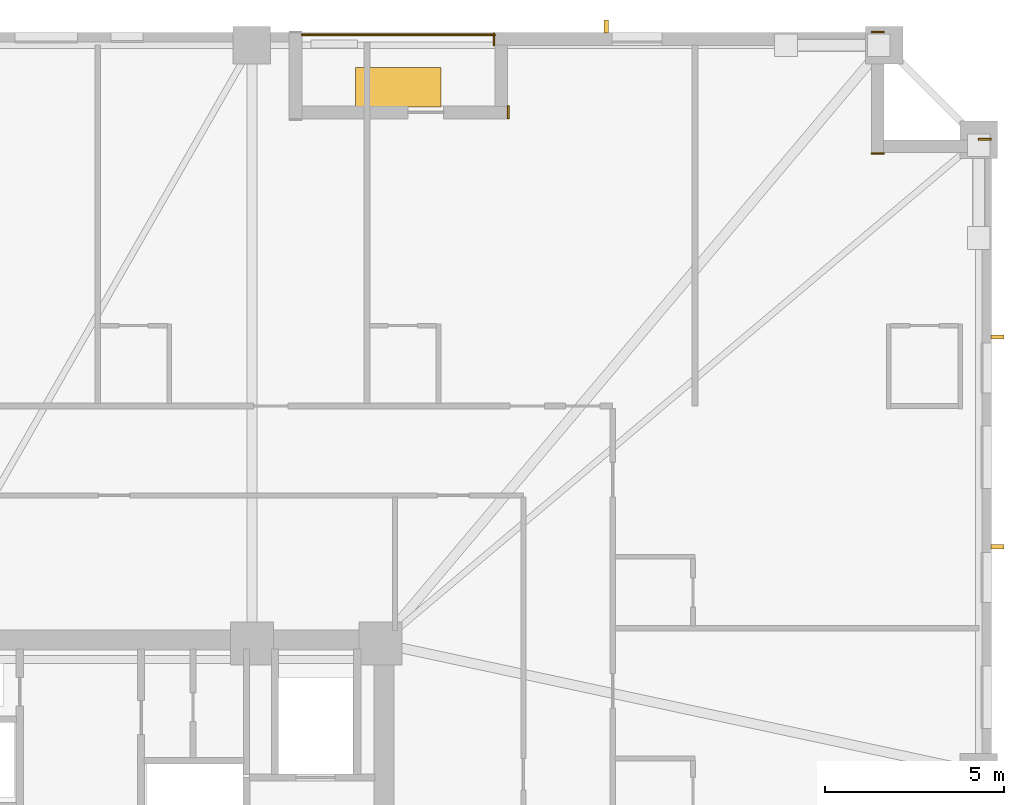
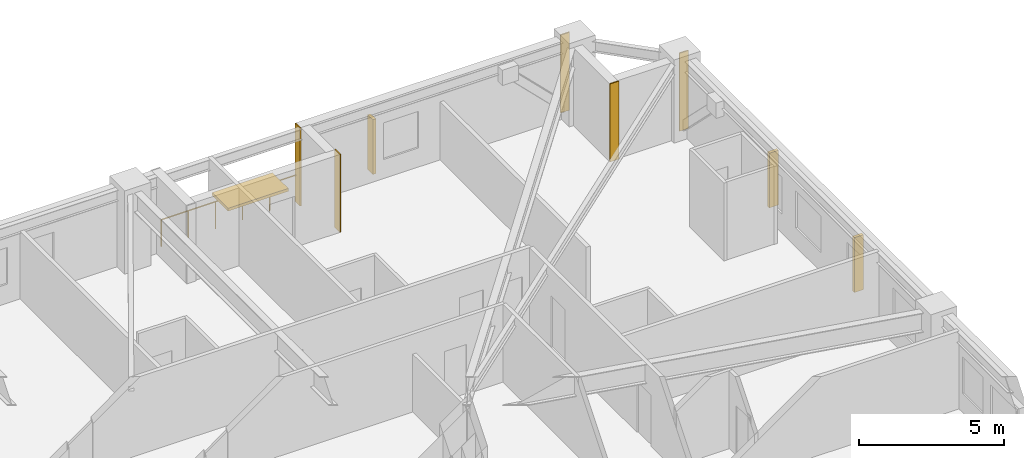
# One storey, part 12 of 12: 5 coverings, 4 shading devices, 1 railing.
"""IFC4 building model written with IfcOpenShell, lengths in metres."""

from ifc_helpers import new_model, si_unit, direction, frame, frame_2d, origin, origin_2d, place, context, subcontext, project, spatial, rectangle, circle, extrude, material, layer, layer_set, type_object, element, save


model = new_model("IFC4")

# Units and contexts
model_context = context("Model", 3, precision=1e-05, world=origin(), true_north=direction((0.0, 1.0)))
body_context = subcontext(model_context, "Body", "Model", "MODEL_VIEW")
ifc_project = project(units=[si_unit("LENGTHUNIT", "METRE"), si_unit("AREAUNIT", "SQUARE_METRE"), si_unit("VOLUMEUNIT", "CUBIC_METRE"), si_unit("PLANEANGLEUNIT", "RADIAN"), si_unit("MASSUNIT", "GRAM", prefix="KILO")], contexts=[model_context])

# Site, building, storey
site_placement = place(None, origin())
site = spatial("IfcSite", under=ifc_project, at=site_placement, CompositionType="ELEMENT")
building_placement = place(site_placement, origin())
building = spatial("IfcBuilding", under=site, at=building_placement, Name="Cairnveth Concourse Tower", CompositionType="ELEMENT")
storey_placement = place(building_placement, frame((0.0, 0.0, 90.0)))
storey = spatial("IfcBuildingStorey", under=building, at=storey_placement, Name="L24", CompositionType="ELEMENT", Elevation=90.0)

# Coverings
ifc_material_1 = material(Name="Dressed Melbourne Bluestone Cladding", Category="masonry")
ifc_layer = layer(ifc_material_1, 0.050048828125)
ifc_layer_set = layer_set([ifc_layer], Name="Dressed Melbourne Bluestone Cladding")
covering_type = type_object("IfcCoveringType", Name="DRESSED BLUESTONE PLINTH CLADDING 50", PredefinedType="CLADDING", material=ifc_layer_set)
for number, where, z_axis, x_axis, name in (
    (1, (63.580078125, 64.139892578125, 0.0), (0.0, 0.0, 1.0), (0.0, 1.0, 0.0), "Melbourne Bluestone Corner Quoin L24-327"),
    (2, (74.139892578125, 64.52001953125, 0.0), (0.0, 0.0, 1.0), (1.0, 0.0, 0.0), "Melbourne Bluestone Corner Quoin L24-328"),
    (3, (74.139892578125, 61.1201171875, 0.0), (0.0, 0.0, 1.0), (1.0, 0.0, 0.0), "Melbourne Bluestone Corner Quoin L24-329"),
    (4, (77.139892578125, 61.52001953125, 0.0), (0.0, 0.0, 1.0), (1.0, 0.0, 0.0), "Melbourne Bluestone Corner Quoin L24-330"),
):
    element("IfcCovering", number, at=place(storey_placement, frame(where, z_axis=z_axis, x_axis=x_axis)), inside=storey, type_object=covering_type, Name=name, PredefinedType="CLADDING", context=body_context, shape_type="SweptSolid", body=[
        extrude(rectangle(XDim=0.360107421875, YDim=0.050048828125, at=frame_2d((0.18017578125, 0.0))), origin(), (0.0, 0.0, 1.0), 3.280029296875),
    ])
covering_placement = place(storey_placement, frame((63.97998046875, 62.090087890625, 0.0), z_axis=(0.0, 0.0, 1.0), x_axis=(0.0, 1.0, 0.0)))
element("IfcCovering", 5, at=covering_placement, inside=storey, type_object=covering_type, Name="Melbourne Bluestone Corner Quoin L24-342", PredefinedType="CLADDING", context=body_context, shape_type="SweptSolid", body=[
    extrude(rectangle(XDim=0.35986328125, YDim=0.050048828125, at=frame_2d((0.179931640625, 0.0))), origin(), (0.0, 0.0, 1.0), 3.280029296875),
])

# Shading devices
ifc_material_2 = material(Name="Architectural Bronze Anodised Aluminium 6063-T6", Category="aluminium")
shading_device_type_1 = type_object("IfcShadingDeviceType", Name="GOTHIC BRONZE VERTICAL LANCET FIN", PredefinedType="USERDEFINED", material=ifc_material_2)
for number, where, z_axis, x_axis, name in (
    (6, (66.720947265625, 64.675048828125, 0.02978515625), (0.0, 0.0, 1.0), (1.0, 0.0, 0.0), "Gothic Bronze Vertical Fin L24-0-1"),
    (7, (77.675048828125, 55.97998046875, 0.02978515625), (0.0, 0.0, 1.0), (0.0, 1.0, 0.0), "Gothic Bronze Vertical Fin L24-3-1"),
    (8, (77.675048828125, 50.109619140625, 0.02978515625), (0.0, 0.0, 1.0), (0.0, 1.0, 0.0), "Gothic Bronze Vertical Fin L24-3-3"),
):
    element("IfcShadingDevice", number, at=place(storey_placement, frame(where, z_axis=z_axis, x_axis=x_axis)), inside=storey, type_object=shading_device_type_1, Name=name, ObjectType="VERTICAL FIN", PredefinedType="USERDEFINED", context=body_context, shape_type="SweptSolid", body=[
        extrude(rectangle(XDim=0.1201171875, YDim=0.360107421875, at=origin_2d()), origin(), (0.0, 0.0, 1.0), 2.303955078125),
    ])
shading_device_type_2 = type_object("IfcShadingDeviceType", Name="SPIRAL TERRACE SUNSHADE CANOPY", PredefinedType="USERDEFINED", material=ifc_material_2)
shading_device_placement = place(storey_placement, frame((60.89990234375, 62.969970703125, 2.183837890625), z_axis=(0.0, 0.0, 1.0), x_axis=(1.0, 0.0, 0.0)))
element("IfcShadingDevice", 9, at=shading_device_placement, inside=storey, type_object=shading_device_type_2, Name="Spiral Terrace Sunshade L24", ObjectType="TERRACE SUNSHADE", PredefinedType="USERDEFINED", context=body_context, shape_type="SweptSolid", body=[
    extrude(rectangle(XDim=2.39990234375, YDim=1.10009765625, at=origin_2d()), origin(), (0.0, 0.0, 1.0), 0.1201171875),
])

# Railing
railing_type = type_object("IfcRailingType", Name="TERRACE BRONZE BALUSTRADE 1150", PredefinedType="BALUSTRADE", material=ifc_material_2)
railing_placement = place(storey_placement, frame((58.199951171875, 64.43994140625, 0.0)))
element("IfcRailing", 10, at=railing_placement, inside=storey, type_object=railing_type, Name="Terrace Balustrade RL-L24-TERR", PredefinedType="BALUSTRADE", context=body_context, shape_type="SweptSolid", body=[
    extrude(circle(Radius=0.02490234375, at=origin_2d()), frame((0.0, 0.0, 1.125), z_axis=(1.0, 0.0, 0.0), x_axis=(0.0, 1.0, 0.0)), (0.0, 0.0, 1.0), 5.400146484375),
    extrude(circle(Radius=0.02099609375, at=origin_2d()), origin(), (0.0, 0.0, 1.0), 1.099853515625),
    extrude(circle(Radius=0.02099609375, at=origin_2d()), frame((1.080078125, 0.0, 0.0)), (0.0, 0.0, 1.0), 1.099853515625),
    extrude(circle(Radius=0.02099609375, at=origin_2d()), frame((2.16015625, 0.0, 0.0)), (0.0, 0.0, 1.0), 1.099853515625),
    extrude(circle(Radius=0.02099609375, at=origin_2d()), frame((3.239990234375, 0.0, 0.0)), (0.0, 0.0, 1.0), 1.099853515625),
    extrude(circle(Radius=0.02099609375, at=origin_2d()), frame((4.320068359375, 0.0, 0.0)), (0.0, 0.0, 1.0), 1.099853515625),
    extrude(circle(Radius=0.02099609375, at=origin_2d()), frame((5.400146484375, 0.0, 0.0)), (0.0, 0.0, 1.0), 1.099853515625),
])

save(model, "model.ifc")
